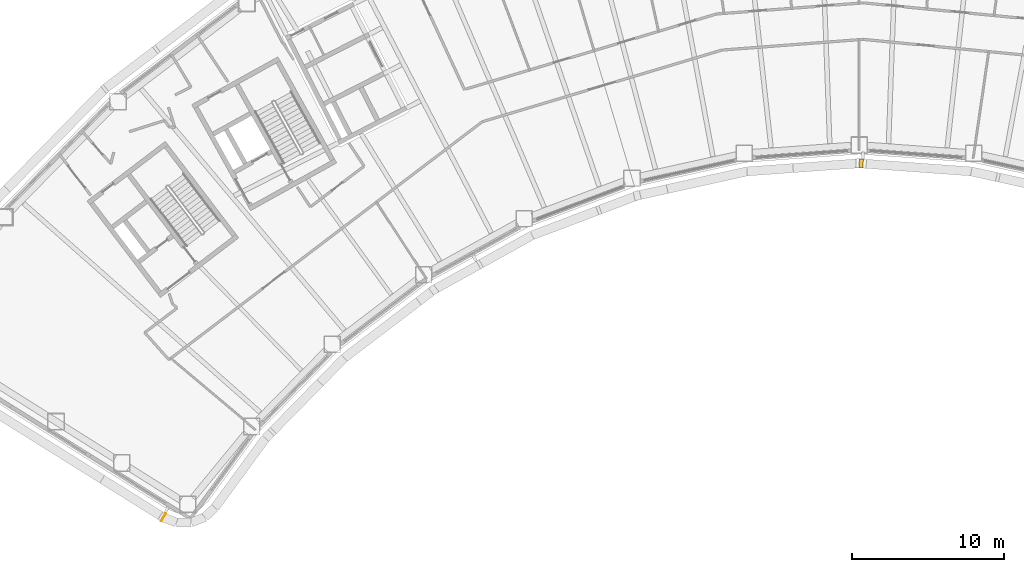
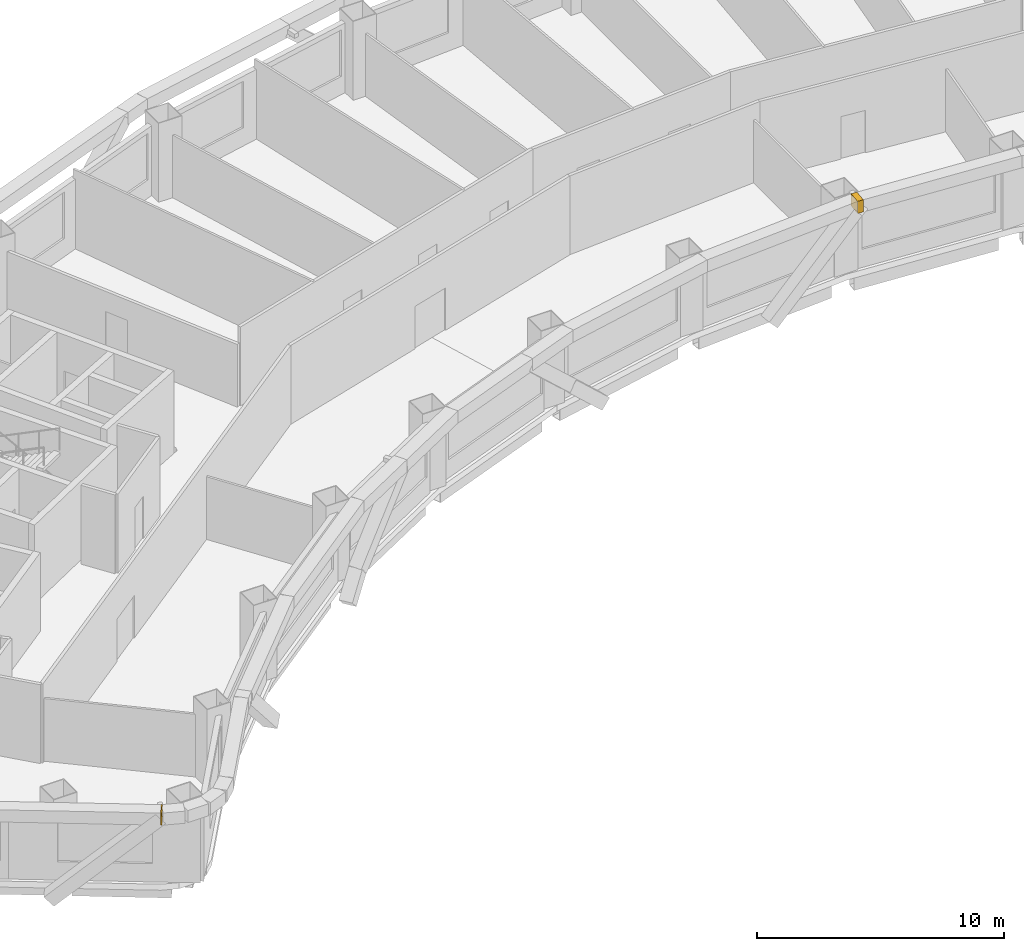
# One storey, part 16 of 16: 2 coverings.
"""IFC4 building model written with IfcOpenShell, lengths in metres."""

from ifc_helpers import new_model, si_unit, direction, frame, origin, origin_2d, place, context, subcontext, project, spatial, rectangle, extrude, material, material_profile, profile_set, type_object, element, save


model = new_model("IFC4")

# Units and contexts
model_context = context("Model", 3, precision=1e-05, world=origin(), true_north=direction((0.0, 1.0)))
body_context = subcontext(model_context, "Body", "Model", "MODEL_VIEW")
ifc_project = project(units=[si_unit("LENGTHUNIT", "METRE"), si_unit("AREAUNIT", "SQUARE_METRE"), si_unit("VOLUMEUNIT", "CUBIC_METRE"), si_unit("PLANEANGLEUNIT", "RADIAN"), si_unit("MASSUNIT", "GRAM", prefix="KILO")], contexts=[model_context])

# Site, building, storey
site_placement = place(None, origin())
site = spatial("IfcSite", under=ifc_project, at=site_placement, CompositionType="ELEMENT")
building_placement = place(site_placement, origin())
building = spatial("IfcBuilding", under=site, at=building_placement, Name="Tuul Gate Civic Tower", CompositionType="ELEMENT")
storey_placement = place(building_placement, frame((0.0, 0.0, 124.5)))
storey = spatial("IfcBuildingStorey", under=building, at=storey_placement, Name="Level 28", CompositionType="ELEMENT", Elevation=124.5)

# Coverings
ifc_material = material(Name="Terracotta baguette", Category="masonry")
ifc_material_profile = material_profile(ifc_material, rectangle(XDim=0.60009765625, YDim=0.60009765625, at=origin_2d()), Name="Terracotta baguette screen frame")
ifc_profile_set = profile_set([ifc_material_profile], Name="Terracotta baguette")
covering_type = type_object("IfcCoveringType", Name="Terracotta baguette screen frame", PredefinedType="CLADDING", material=ifc_profile_set)
covering_1_placement = place(storey_placement, frame((-36.099853515625, -32.2197265625, 3.85009765625), z_axis=(0.848261487435, -0.529577613702, 0.0), x_axis=(0.529577613702, 0.848261487435, 0.0)))
element("IfcCovering", 1, at=covering_1_placement, inside=storey, type_object=covering_type, Name="Baguette 171", PredefinedType="CLADDING", context=body_context, shape_type="SweptSolid", body=[
    extrude(rectangle(XDim=0.60009765625, YDim=0.60009765625, at=origin_2d()), origin(), (0.0, 0.0, 1.0), 0.052001953125),
])
covering_2_placement = place(storey_placement, frame((9.8291015625, -8.873046875, 3.85009765625), z_axis=(0.997439807738, -0.071511047668, 0.0), x_axis=(0.071511047668, 0.997439807738, 0.0)))
element("IfcCovering", 2, at=covering_2_placement, inside=storey, type_object=covering_type, Name="Baguette 435", PredefinedType="CLADDING", context=body_context, shape_type="SweptSolid", body=[
    extrude(rectangle(XDim=0.60009765625, YDim=0.60009765625, at=origin_2d()), origin(), (0.0, 0.0, 1.0), 0.262939453125),
])

save(model, "model.ifc")
